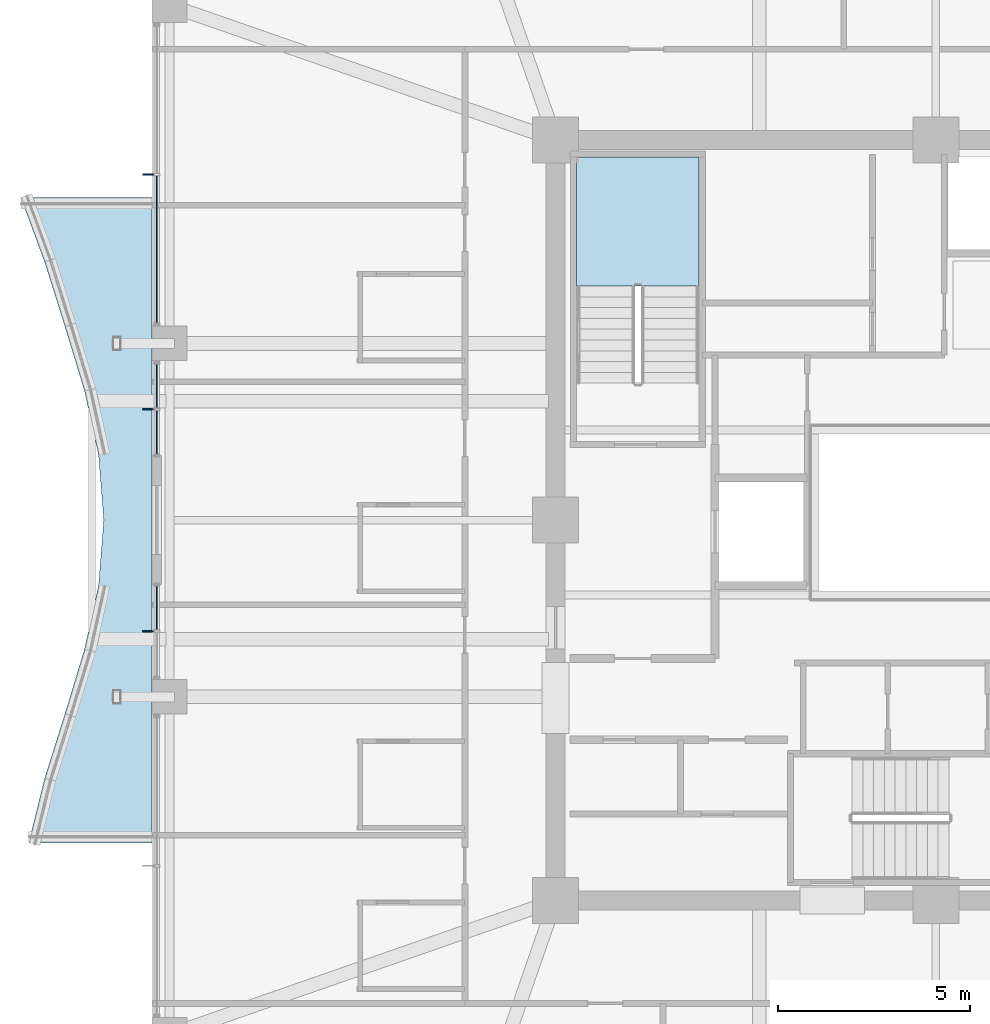
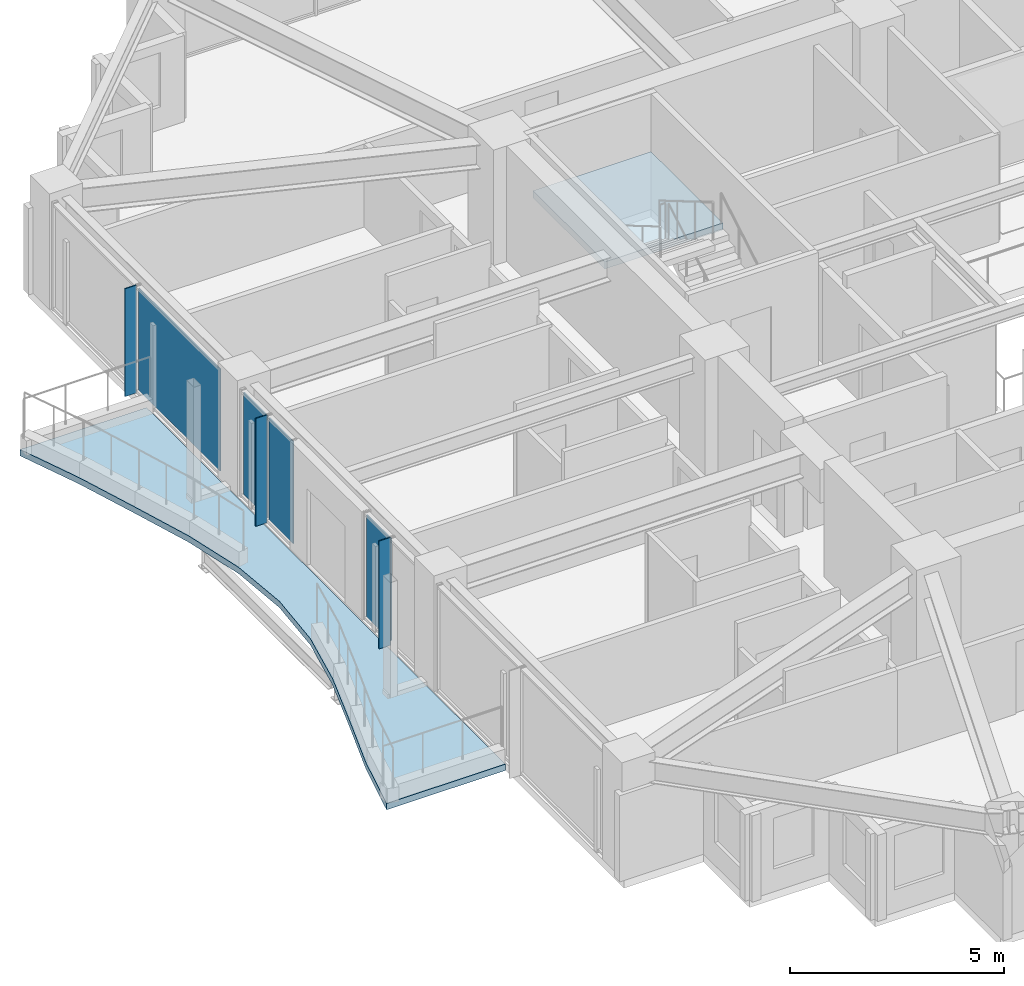
# One storey, part 24 of 35: 7 plates, 2 slabs, 4 elements without a shape of their own.
"""IFC4 building model written with IfcOpenShell, lengths in metres."""

from ifc_helpers import new_model, si_unit, direction, frame, origin, origin_2d, place, context, subcontext, project, spatial, polyline, rectangle, outline, extrude, material, layer, layer_set, type_object, element, aggregate, save


model = new_model("IFC4")

# Units and contexts
model_context = context("Model", 3, precision=1e-05, world=origin(), true_north=direction((0.0, 1.0)))
body_context = subcontext(model_context, "Body", "Model", "MODEL_VIEW")
ifc_project = project(units=[si_unit("LENGTHUNIT", "METRE"), si_unit("AREAUNIT", "SQUARE_METRE"), si_unit("VOLUMEUNIT", "CUBIC_METRE"), si_unit("PLANEANGLEUNIT", "RADIAN"), si_unit("MASSUNIT", "GRAM", prefix="KILO")], contexts=[model_context])

# Site, building, storey
site_placement = place(None, origin())
site = spatial("IfcSite", under=ifc_project, at=site_placement, CompositionType="ELEMENT")
building_placement = place(site_placement, origin())
building = spatial("IfcBuilding", under=site, at=building_placement, Name="Kolvaren Belvedere", CompositionType="ELEMENT")
storey_placement = place(building_placement, frame((0.0, 0.0, 183.300048828125)))
storey = spatial("IfcBuildingStorey", under=building, at=storey_placement, Name="L53", CompositionType="ELEMENT", Elevation=183.300048828125)

# Curtain wall, plate
ifc_material_1 = material(Name="Anodised pale-metal aluminium AA 6063-T6", Category="aluminium")
curtain_wall_type = type_object("IfcCurtainWallType", Name="CW-Z5-HIGH", PredefinedType="NOTDEFINED", material=ifc_material_1)
curtain_wall_1_placement = place(storey_placement, origin())
curtain_wall_1 = element("IfcCurtainWall", 1, at=curtain_wall_1_placement, inside=storey, type_object=curtain_wall_type, Name="L53 Unitised Curtain Wall FCW-L53-W1-B2", PredefinedType="NOTDEFINED")
ifc_material_2 = material(Name="Low-iron triple insulated glass", Category="glass")
ifc_layer_1 = layer(ifc_material_2, 0.028076171875)
ifc_layer_set_1 = layer_set([ifc_layer_1], Name="Low-iron triple insulated glass")
plate_type_1 = type_object("IfcPlateType", Name="CW-PNL-VIS28", PredefinedType="CURTAIN_PANEL", material=ifc_layer_set_1)
plate_1_placement = place(storey_placement, frame((-20.280029296875, -2.28369140625, 0.080078125), z_axis=(0.0, 0.0, 1.0), x_axis=(0.0, 1.0, 0.0)))
plate_1 = element("IfcPlate", 2, at=plate_1_placement, type_object=plate_type_1, Name="FCW-L53-W1-B2 Vision Glazing Panel 2", PredefinedType="CURTAIN_PANEL", context=body_context, shape_type="SweptSolid", body=[
    extrude(rectangle(XDim=1.12744140625, YDim=0.028076171875, at=origin_2d()), origin(), (0.0, 0.0, 1.0), 2.919921875),
])
aggregate(curtain_wall_1, [plate_1])

# Curtain wall, plates
curtain_wall_2_placement = place(storey_placement, origin())
curtain_wall_2 = element("IfcCurtainWall", 3, at=curtain_wall_2_placement, inside=storey, type_object=curtain_wall_type, Name="L53 Unitised Curtain Wall FCW-L53-W2-B1", PredefinedType="NOTDEFINED")
plate_2_placement = place(storey_placement, frame((-20.280029296875, 2.28369140625, 0.080078125), z_axis=(0.0, 0.0, 1.0), x_axis=(0.0, 1.0, 0.0)))
plate_2 = element("IfcPlate", 4, at=plate_2_placement, type_object=plate_type_1, Name="FCW-L53-W2-B1 Vision Glazing Panel 1", PredefinedType="CURTAIN_PANEL", context=body_context, shape_type="SweptSolid", body=[
    extrude(rectangle(XDim=1.12744140625, YDim=0.028076171875, at=origin_2d()), origin(), (0.0, 0.0, 1.0), 2.919921875),
])
plate_3_placement = place(storey_placement, frame((-20.280029296875, 3.4912109375, 0.080078125), z_axis=(0.0, 0.0, 1.0), x_axis=(0.0, 1.0, 0.0)))
plate_3 = element("IfcPlate", 5, at=plate_3_placement, type_object=plate_type_1, Name="FCW-L53-W2-B1 Vision Glazing Panel 2", PredefinedType="CURTAIN_PANEL", context=body_context, shape_type="SweptSolid", body=[
    extrude(rectangle(XDim=1.12744140625, YDim=0.028076171875, at=origin_2d()), origin(), (0.0, 0.0, 1.0), 2.919921875),
])
aggregate(curtain_wall_2, [plate_2, plate_3])

# Curtain wall, plate
curtain_wall_3_placement = place(storey_placement, origin())
curtain_wall_3 = element("IfcCurtainWall", 6, at=curtain_wall_3_placement, inside=storey, type_object=curtain_wall_type, Name="L53 Unitised Curtain Wall FCW-L53-W2-B2", PredefinedType="NOTDEFINED")
plate_4_placement = place(storey_placement, frame((-20.280029296875, 7.052490234375, 0.080078125), z_axis=(0.0, 0.0, 1.0), x_axis=(0.0, 1.0, 0.0)))
plate_4 = element("IfcPlate", 7, at=plate_4_placement, type_object=plate_type_1, Name="FCW-L53-W2-B2 Vision Glazing Panel 1", PredefinedType="CURTAIN_PANEL", context=body_context, shape_type="SweptSolid", body=[
    extrude(rectangle(XDim=3.81494140625, YDim=0.028076171875, at=origin_2d()), origin(), (0.0, 0.0, 1.0), 2.919921875),
])
aggregate(curtain_wall_3, [plate_4])

# Plates
ifc_material_3 = material(Name="Anodised pale-metal aluminium AA 6063-T6", Category="aluminium")
ifc_layer_2 = layer(ifc_material_3, 0.030029296875)
ifc_layer_set_2 = layer_set([ifc_layer_2], Name="Anodised pale-metal aluminium AA 6063-T6")
plate_type_2 = type_object("IfcPlateType", Name="FIN-VERT-300", PredefinedType="USERDEFINED", material=ifc_layer_set_2)
for number, where, z_axis, x_axis, name in (
    (8, (-20.489990234375, -2.887451171875, 0.0), (0.0, 0.0, 1.0), (1.0, 0.0, 0.0), "L53 Pale-Metal Vertical Shading Fin FCW-L53-W1-B2-1"),
    (9, (-20.489990234375, 2.887451171875, 0.0), (0.0, 0.0, 1.0), (1.0, 0.0, 0.0), "L53 Pale-Metal Vertical Shading Fin FCW-L53-W2-B1-1"),
    (10, (-20.489990234375, 9.0, 0.0), (0.0, 0.0, 1.0), (1.0, 0.0, 0.0), "L53 Pale-Metal Vertical Shading Fin FCW-L53-W2-B2-1"),
):
    element("IfcPlate", number, at=place(storey_placement, frame(where, z_axis=z_axis, x_axis=x_axis)), inside=storey, type_object=plate_type_2, Name=name, ObjectType="VERTICAL FIN", PredefinedType="USERDEFINED", context=body_context, shape_type="SweptSolid", body=[
        extrude(rectangle(XDim=0.300048828125, YDim=0.030029296875, at=origin_2d()), origin(), (0.0, 0.0, 1.0), 3.080078125),
    ])

# Slab
ifc_material_4 = material(Name="Concrete C50/60", Category="concrete")
ifc_layer_3 = layer(ifc_material_4, 0.179931640625)
ifc_layer_set_3 = layer_set([ifc_layer_3], Name="Concrete C50/60")
slab_type_1 = type_object("IfcSlabType", Name="SL-BAL-180", PredefinedType="FLOOR", material=ifc_layer_set_3)
slab_1_placement = place(storey_placement, frame((0.0, 0.0, -0.219970703125)))
element("IfcSlab", 11, at=slab_1_placement, inside=storey, type_object=slab_type_1, Name="L53 Planted Balcony BAL-W", PredefinedType="FLOOR", context=body_context, shape_type="SweptSolid", body=[
    extrude(outline(polyline([(-23.820068359375, 8.39990234375), (-23.19970703125, 6.719970703125), (-22.672119140625, 5.0400390625), (-22.161376953125, 3.360107421875), (-21.793701171875, 1.679931640625), (-21.659912109375, 0.0), (-21.793701171875, -1.679931640625), (-22.161376953125, -3.360107421875), (-22.672119140625, -5.0400390625), (-23.19970703125, -6.719970703125), (-23.61376953125, -8.39990234375), (-20.39990234375, -8.39990234375), (-20.39990234375, -6.719970703125), (-20.39990234375, -5.0400390625), (-20.39990234375, -3.360107421875), (-20.39990234375, -1.679931640625), (-20.39990234375, 0.0), (-20.39990234375, 1.679931640625), (-20.39990234375, 3.360107421875), (-20.39990234375, 5.0400390625), (-20.39990234375, 6.719970703125), (-20.39990234375, 8.39990234375), (-23.820068359375, 8.39990234375)])), origin(), (0.0, 0.0, 1.0), 0.179931640625),
])

# Stair, slab
ifc_material_5 = material(Name="Concrete C50/60", Category="concrete")
stair_type = type_object("IfcStairType", Name="ST-CORE-1520", PredefinedType="HALF_TURN_STAIR", material=ifc_material_5)
stair_placement = place(storey_placement, origin())
stair = element("IfcStair", 12, at=stair_placement, inside=storey, type_object=stair_type, Name="L53 Protected Exit Stair ST-1", PredefinedType="HALF_TURN_STAIR")
ifc_material_6 = material(Name="Concrete C50/60", Category="concrete")
ifc_layer_4 = layer(ifc_material_6, 0.260009765625)
ifc_layer_set_4 = layer_set([ifc_layer_4], Name="Concrete C50/60")
slab_type_2 = type_object("IfcSlabType", Name="SL-LAND-260", PredefinedType="LANDING", material=ifc_layer_set_4)
slab_2_placement = place(storey_placement, frame((0.0, 0.0, 1.449951171875)))
slab_2 = element("IfcSlab", 13, at=slab_2_placement, type_object=slab_type_2, Name="ST-1 landing 1", PredefinedType="LANDING", context=body_context, shape_type="SweptSolid", body=[
    extrude(outline(polyline([(-6.159912109375, 6.090087890625), (-6.159912109375, 9.449951171875), (-9.35009765625, 9.449951171875), (-9.35009765625, 6.090087890625), (-6.159912109375, 6.090087890625)])), origin(), (0.0, 0.0, 1.0), 0.199951171875),
])
aggregate(stair, [slab_2])

save(model, "model.ifc")
